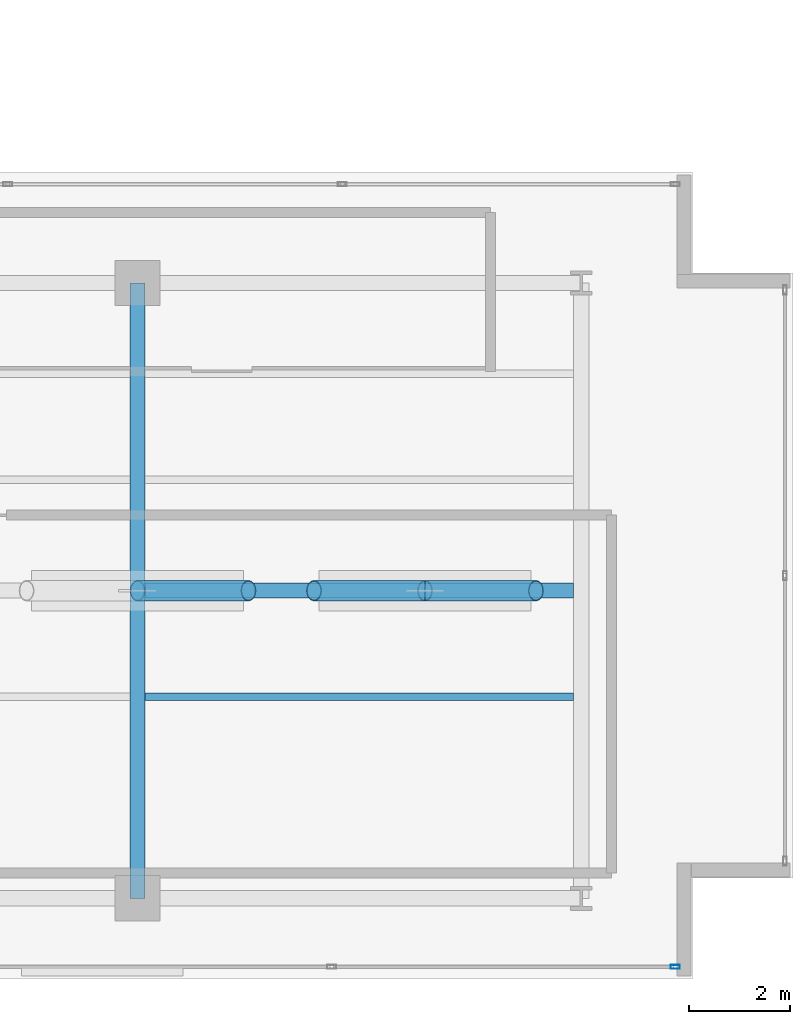
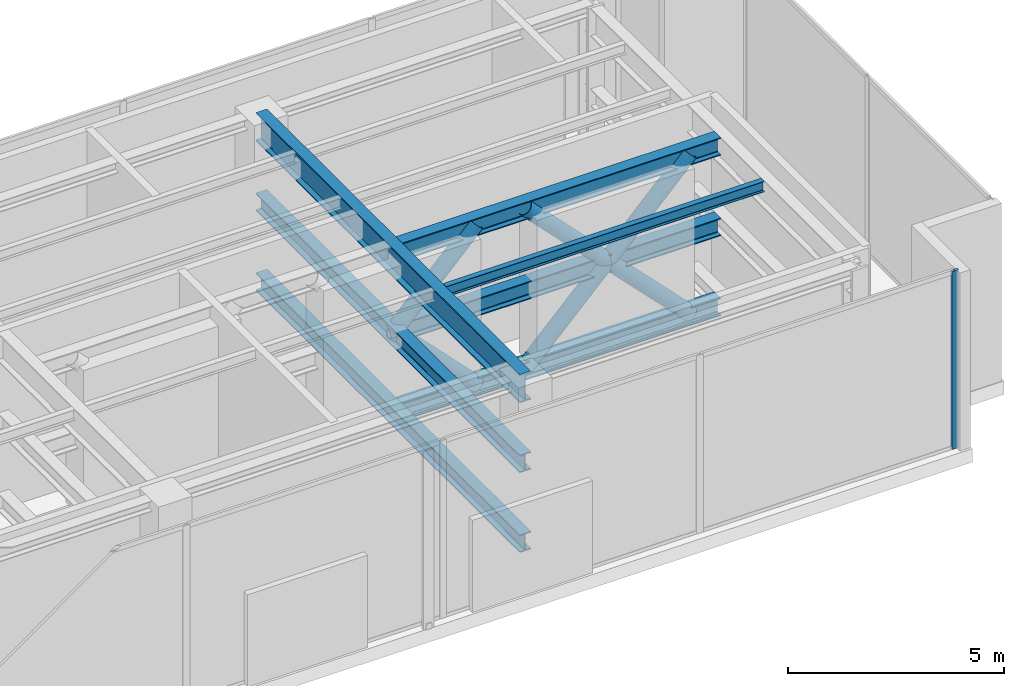
# One storey, part 16 of 29: 7 beams, 7 members, 1 element without a shape of its own.
"""IFC4 building model written with IfcOpenShell, lengths in metres."""

from ifc_helpers import new_model, si_unit, direction, frame, origin, origin_with_axes, origin_2d, place, context, subcontext, project, spatial, hollow_rectangle, hollow_circle, i_section, extrude, source, transform, mapped, material, layer, layer_set, material_profile, profile_set, type_object, element, aggregate, save


model = new_model("IFC4")

# Units and contexts
model_context = context("Model", 3, precision=1e-05, world=origin(), true_north=direction((0.0, 1.0)))
body_context = subcontext(model_context, "Body", "Model", "MODEL_VIEW")
ifc_project = project(units=[si_unit("LENGTHUNIT", "METRE"), si_unit("AREAUNIT", "SQUARE_METRE"), si_unit("VOLUMEUNIT", "CUBIC_METRE"), si_unit("PLANEANGLEUNIT", "RADIAN"), si_unit("MASSUNIT", "GRAM", prefix="KILO")], contexts=[model_context])

# Site, building, storey
site_placement = place(None, origin())
site = spatial("IfcSite", under=ifc_project, at=site_placement, CompositionType="ELEMENT")
building_placement = place(site_placement, origin())
building = spatial("IfcBuilding", under=site, at=building_placement, Name="Kolvaren Waterfront Exchange", CompositionType="ELEMENT")
storey_placement = place(building_placement, frame((0.0, 0.0, 338.800048828125)))
storey = spatial("IfcBuildingStorey", under=building, at=storey_placement, Name="L87", CompositionType="ELEMENT", Elevation=338.800048828125)

# Beams
ifc_material_1 = material(Name="Steel S355", Category="steel")
ifc_material_profile_1 = material_profile(ifc_material_1, i_section(OverallWidth=0.300048828125, OverallDepth=0.5, WebThickness=0.014404296875, FlangeThickness=0.028076171875, FilletRadius=0.027099609375, at=origin_2d()), Name="HEB500")
ifc_profile_set_1 = profile_set([ifc_material_profile_1], Name="Steel S355")
beam_type_1 = type_object("IfcBeamType", Name="STR-BM-HEB500", PredefinedType="BEAM", material=ifc_profile_set_1)
for number, where, z_axis, x_axis, name in (
    (1, (36.800048828125, 5.199951171875, 0.25), (0.0, 1.0, 0.0), (-1.0, 0.0, 0.0), "L87 Venturi turbine portal sill cross-beam X36"),
    (2, (36.800048828125, 5.199951171875, 2.5), (0.0, 1.0, 0.0), (-1.0, 0.0, 0.0), "L87 Venturi turbine portal hub cross-beam X36"),
):
    element("IfcBeam", number, at=place(storey_placement, frame(where, z_axis=z_axis, x_axis=x_axis)), inside=storey, type_object=beam_type_1, Name=name, PredefinedType="BEAM", context=body_context, shape_type="SweptSolid", body=[
        extrude(i_section(OverallWidth=0.300048828125, OverallDepth=0.5, WebThickness=0.014404296875, FlangeThickness=0.028076171875, FilletRadius=0.027099609375, at=origin_2d()), origin(), (0.0, 0.0, 1.0), 12.199951171875),
    ])
for number, where, z_axis, x_axis, name in (
    (3, (36.951904296875, 11.300048828125, 0.25), (1.0, 0.0, 0.0), (0.0, 1.0, 0.0), "L87 Venturi turbine sill longitudinal beam 2"),
    (4, (36.951904296875, 11.300048828125, 2.5), (1.0, 0.0, 0.0), (0.0, 1.0, 0.0), "L87 Venturi turbine hub longitudinal beam 2"),
    (5, (36.951904296875, 11.300048828125, 4.77001953125), (1.0, 0.0, 0.0), (0.0, 1.0, 0.0), "L87 Venturi turbine head longitudinal beam 2"),
):
    element("IfcBeam", number, at=place(storey_placement, frame(where, z_axis=z_axis, x_axis=x_axis)), inside=storey, type_object=beam_type_1, Name=name, PredefinedType="BEAM", context=body_context, shape_type="SweptSolid", body=[
        extrude(i_section(OverallWidth=0.300048828125, OverallDepth=0.5, WebThickness=0.014404296875, FlangeThickness=0.028076171875, FilletRadius=0.027099609375, at=origin_2d()), origin(), (0.0, 0.0, 1.0), 8.49609375),
    ])
ifc_material_profile_2 = material_profile(ifc_material_1, i_section(OverallWidth=0.300048828125, OverallDepth=0.800048828125, WebThickness=0.017578125, FlangeThickness=0.032958984375, FilletRadius=0.030029296875, at=origin_2d()), Name="HEB800")
ifc_profile_set_2 = profile_set([ifc_material_profile_2], Name="Steel S355")
beam_type_2 = type_object("IfcBeamType", Name="STR-BM-HEB800", PredefinedType="BEAM", material=ifc_profile_set_2)
beam_1_placement = place(storey_placement, frame((36.800048828125, 5.199951171875, 4.619873046875), z_axis=(0.0, 1.0, 0.0), x_axis=(-1.0, 0.0, 0.0)))
element("IfcBeam", 6, at=beam_1_placement, inside=storey, type_object=beam_type_2, Name="L87 east-arm transverse girder X36", PredefinedType="BEAM", context=body_context, shape_type="SweptSolid", body=[
    extrude(i_section(OverallWidth=0.300048828125, OverallDepth=0.800048828125, WebThickness=0.017578125, FlangeThickness=0.032958984375, FilletRadius=0.030029296875, at=origin_2d()), origin(), (0.0, 0.0, 1.0), 12.199951171875),
])
ifc_material_profile_3 = material_profile(ifc_material_1, i_section(OverallWidth=0.14990234375, OverallDepth=0.300048828125, WebThickness=0.007080078125, FlangeThickness=0.0107421875, FilletRadius=0.014892578125, at=origin_2d()), Name="IPE300")
ifc_profile_set_3 = profile_set([ifc_material_profile_3], Name="Steel S355")
beam_type_3 = type_object("IfcBeamType", Name="STR-BM-IPE300", PredefinedType="JOIST", material=ifc_profile_set_3)
beam_2_placement = place(storey_placement, frame((36.951904296875, 9.199951171875, 4.869873046875), z_axis=(1.0, 0.0, 0.0), x_axis=(0.0, 1.0, 0.0)))
element("IfcBeam", 7, at=beam_2_placement, inside=storey, type_object=beam_type_3, Name="L87 east-arm composite joist 3B", PredefinedType="JOIST", context=body_context, shape_type="SweptSolid", body=[
    extrude(i_section(OverallWidth=0.14990234375, OverallDepth=0.300048828125, WebThickness=0.007080078125, FlangeThickness=0.0107421875, FilletRadius=0.014892578125, at=origin_2d()), origin(), (0.0, 0.0, 1.0), 8.49609375),
])

# Members
ifc_material_profile_4 = material_profile(ifc_material_1, hollow_circle(Radius=0.203125, WallThickness=0.01611328125, at=origin_2d()), Name="CHS406.4x16")
ifc_profile_set_4 = profile_set([ifc_material_profile_4], Name="Steel S355")
member_type_1 = type_object("IfcMemberType", Name="STR-ST-CHS406", PredefinedType="STRUT", material=ifc_profile_set_4)
member_1_placement = place(storey_placement, frame((39.0, 11.300048828125, 0.25), z_axis=(-0.699109699154, 0.0, 0.715014425413), x_axis=(0.0, -1.0, 0.0)))
element("IfcMember", 8, at=member_1_placement, inside=storey, type_object=member_type_1, Name="L87 Venturi WIND TURBINE 2 portal strut 2", PredefinedType="STRUT", context=body_context, shape_type="SweptSolid", body=[
    extrude(hollow_circle(Radius=0.203125, WallThickness=0.01611328125, at=origin_2d()), origin(), (0.0, 0.0, 1.0), 3.146728515625),
])
member_2_placement = place(storey_placement, frame((39.0, 11.300048828125, 4.77001953125), z_axis=(-0.695937137842, 0.0, -0.718102708651), x_axis=(0.0, -1.0, 0.0)))
element("IfcMember", 9, at=member_2_placement, inside=storey, type_object=member_type_1, Name="L87 Venturi WIND TURBINE 2 portal strut 4", PredefinedType="STRUT", context=body_context, shape_type="SweptSolid", body=[
    extrude(hollow_circle(Radius=0.203125, WallThickness=0.01611328125, at=origin_2d()), origin(), (0.0, 0.0, 1.0), 3.1611328125),
])
for number, where, z_axis, x_axis, name in (
    (10, (40.300048828125, 11.300048828125, 0.25), (0.699109699154, 0.0, 0.715014425413), (0.0, 1.0, 0.0), "L87 Venturi WIND TURBINE 3 portal strut 1"),
    (11, (44.699951171875, 11.300048828125, 0.25), (-0.699109699154, 0.0, 0.715014425413), (0.0, -1.0, 0.0), "L87 Venturi WIND TURBINE 3 portal strut 2"),
):
    element("IfcMember", number, at=place(storey_placement, frame(where, z_axis=z_axis, x_axis=x_axis)), inside=storey, type_object=member_type_1, Name=name, PredefinedType="STRUT", context=body_context, shape_type="SweptSolid", body=[
        extrude(hollow_circle(Radius=0.203125, WallThickness=0.01611328125, at=origin_2d()), origin(), (0.0, 0.0, 1.0), 3.146728515625),
    ])
for number, where, z_axis, x_axis, name in (
    (12, (40.300048828125, 11.300048828125, 4.77001953125), (0.695937137842, 0.0, -0.718102708651), (0.0, 1.0, 0.0), "L87 Venturi WIND TURBINE 3 portal strut 3"),
    (13, (44.699951171875, 11.300048828125, 4.77001953125), (-0.695937137842, 0.0, -0.718102708651), (0.0, -1.0, 0.0), "L87 Venturi WIND TURBINE 3 portal strut 4"),
):
    element("IfcMember", number, at=place(storey_placement, frame(where, z_axis=z_axis, x_axis=x_axis)), inside=storey, type_object=member_type_1, Name=name, PredefinedType="STRUT", context=body_context, shape_type="SweptSolid", body=[
        extrude(hollow_circle(Radius=0.203125, WallThickness=0.01611328125, at=origin_2d()), origin(), (0.0, 0.0, 1.0), 3.1611328125),
    ])

# Curtain wall, member
ifc_material_2 = material(Name="Anodised dark bronze spandrel aluminium", Category="aluminium")
ifc_layer = layer(ifc_material_2, 0.219970703125, Name="Anodised dark bronze spandrel aluminium")
ifc_layer_set = layer_set([ifc_layer], Name="Anodised dark bronze spandrel aluminium")
curtain_wall_type = type_object("IfcCurtainWallType", Name="ARC-CW-SYS6", PredefinedType="USERDEFINED", material=ifc_layer_set)
curtain_wall_placement = place(storey_placement, origin())
curtain_wall = element("IfcCurtainWall", 14, at=curtain_wall_placement, inside=storey, type_object=curtain_wall_type, Name="L87 stick curtain wall CW6 (CW-L87-S)", ObjectType="STICK CURTAIN WALL", PredefinedType="USERDEFINED")
ifc_material_3 = material(Name="Anodised bronze aluminium 6063-T6", Category="aluminium")
ifc_material_profile_5 = material_profile(ifc_material_3, hollow_rectangle(XDim=0.074951171875, YDim=0.179931640625, WallThickness=0.00439453125, at=origin_2d()), Name="ALU-MUL-180x75x4.5")
ifc_profile_set_5 = profile_set([ifc_material_profile_5], Name="Anodised bronze aluminium 6063-T6")
member_type_2 = type_object("IfcMemberType", Name="ARC-CWM-180", PredefinedType="MULLION", material=ifc_profile_set_5)
shared_shape = source(origin_with_axes(), body_context, "Body", "SweptSolid", [
    extrude(hollow_rectangle(XDim=0.074951171875, YDim=0.179931640625, WallThickness=0.00439453125, at=origin_2d()), origin(), (0.0, 0.0, 1.0), 5.02001953125),
])
member_3_placement = place(storey_placement, frame((47.46240234375, 3.840087890625, 0.0), z_axis=(0.0, 0.0, 1.0), x_axis=(0.0, 1.0, 0.0)))
member_3 = element("IfcMember", 15, at=member_3_placement, type_object=member_type_2, Name="CW6 mullion 7", PredefinedType="MULLION", context=body_context, shape_type="MappedRepresentation", body=[
    mapped(shared_shape, transform((0.0, 0.0, 0.0), x_axis=(1.0, 0.0, 0.0), y_axis=(0.0, 1.0, 0.0), z_axis=(0.0, 0.0, 1.0), scale=1.0)),
])
aggregate(curtain_wall, [member_3])

save(model, "model.ifc")
